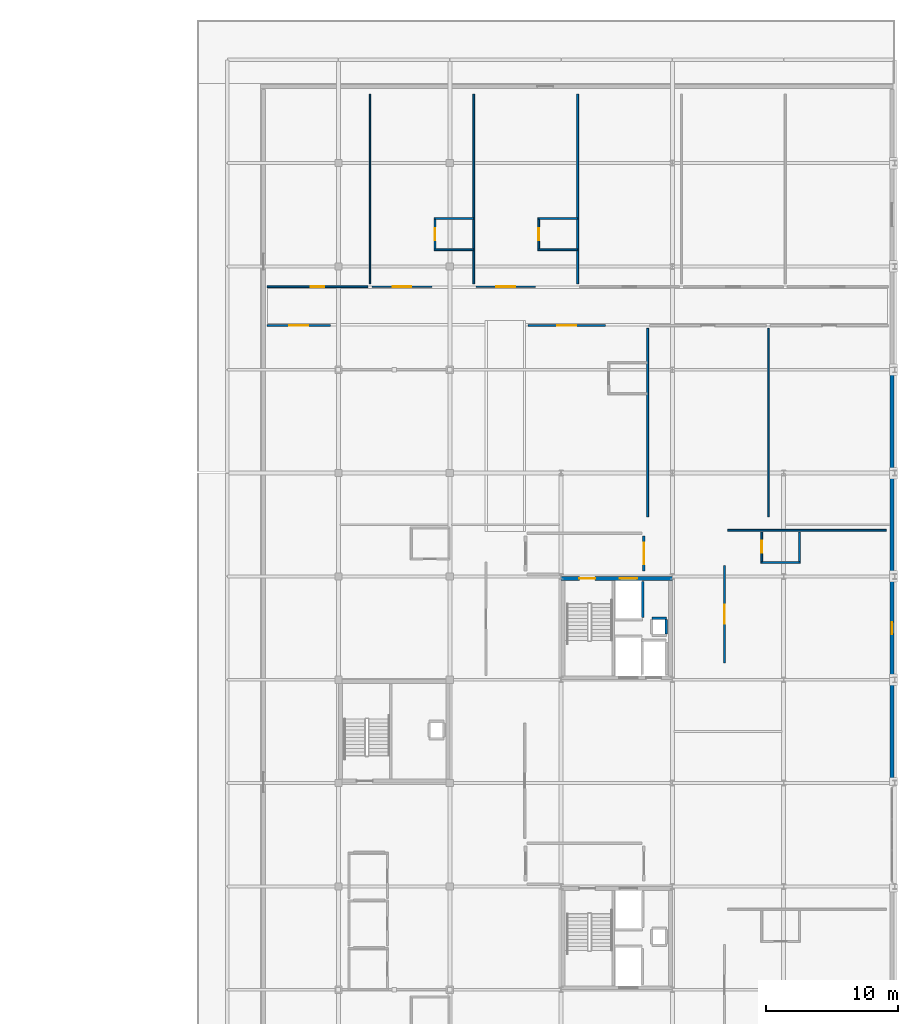
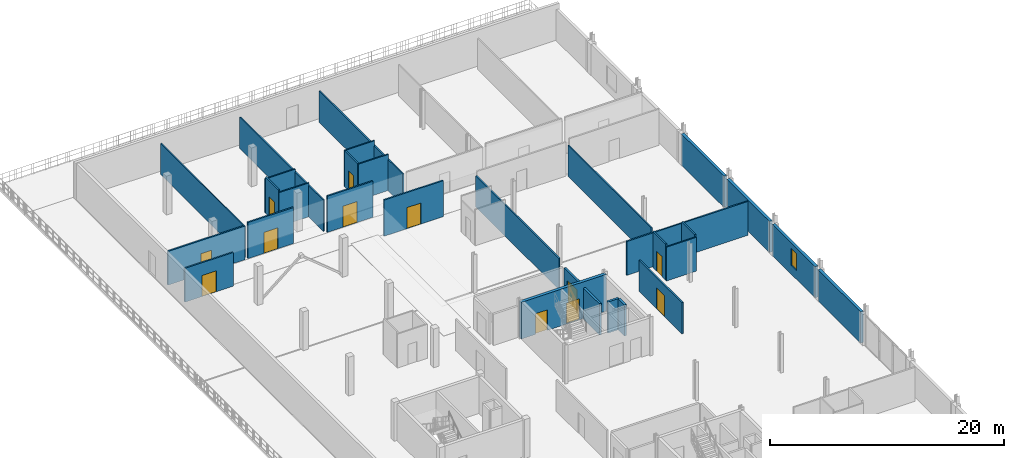
# One storey, part 12 of 20: 30 walls, 12 doors, 1 window, 13 openings.
"""IFC4 building model written with IfcOpenShell, lengths in metres."""

import ifcopenshell
import ifcopenshell.guid

model = None  # the IFC model being written
_history = None  # IfcOwnerHistory: only IFC2X3 demands one
_inside = {}  # id of a spatial element -> (the spatial element, [elements in it])
_under = {}  # id of a project, library or spatial element -> (it, [spatial elements below it])
_declared = {}  # id of a project -> (the project, [libraries it declares])
_typed = {}  # id of a type object -> (the type object, [elements of that type])
_made_of = {}  # id of a material, layer set ... -> (it, [elements and type objects made of it])


def new_model(schema):
    """Start an empty IFC model of exactly this schema.

    Asked for "IFC4X3", IfcOpenShell would pick the latest addendum, in which some entities
    have other attributes; the version numbers below select the first issue.
    IFC2X3 requires an IfcOwnerHistory on every rooted entity: one is made here for all.
    """
    global model, _history
    if schema == "IFC4X3":
        model = ifcopenshell.file(schema_version=(4, 3, 0, 0))
    else:
        model = ifcopenshell.file(schema=schema)
    _inside.clear()
    _under.clear()
    _declared.clear()
    _typed.clear()
    _made_of.clear()
    _history = None
    if model.schema == "IFC2X3":
        org = make("IfcOrganization", Name="unknown")
        user = make(
            "IfcPersonAndOrganization",
            ThePerson=make("IfcPerson", FamilyName="unknown"),
            TheOrganization=org,
        )
        app = make(
            "IfcApplication",
            ApplicationDeveloper=org,
            Version="unknown",
            ApplicationFullName="unknown",
            ApplicationIdentifier="unknown",
        )
        _history = make(
            "IfcOwnerHistory",
            OwningUser=user,
            OwningApplication=app,
            ChangeAction="ADDED",
            CreationDate=0,
        )
    return model


def make(cls, **values):
    """One entity of the class cls with the attributes given. An attribute that is None is left unset."""
    return model.create_entity(
        cls, **{name: value for name, value in values.items() if value is not None}
    )


def rooted(cls, **values):
    """An entity with a GlobalId (a new one), such as an element, a storey or a relation."""
    return make(cls, GlobalId=ifcopenshell.guid.new(), OwnerHistory=_history, **values)


def si_unit(unit_type, name, prefix=None):
    """IfcSIUnit, for example si_unit("LENGTHUNIT", "METRE", prefix="MILLI")."""
    return make("IfcSIUnit", UnitType=unit_type, Prefix=prefix, Name=name)


def assignment(units):
    """IfcUnitAssignment: the units of a project."""
    return None if units is None else make("IfcUnitAssignment", Units=units)


def point(xyz):
    """IfcCartesianPoint."""
    return None if xyz is None else make("IfcCartesianPoint", Coordinates=xyz)


def direction(xyz):
    """IfcDirection."""
    return None if xyz is None else make("IfcDirection", DirectionRatios=xyz)


def frame(location, z_axis=None, x_axis=None):
    """IfcAxis2Placement3D, a coordinate frame: its origin and axes. An axis left out is left unset."""
    return make(
        "IfcAxis2Placement3D",
        Location=point(location),
        Axis=direction(z_axis),
        RefDirection=direction(x_axis),
    )


def frame_2d(location, x_axis=None):
    """IfcAxis2Placement2D, a coordinate frame in the plane: its origin and x axis."""
    return make(
        "IfcAxis2Placement2D", Location=point(location), RefDirection=direction(x_axis)
    )


def origin():
    """The frame at (0, 0, 0) with its axes left unset."""
    return frame((0.0, 0.0, 0.0))


def place(relative_to, where):
    """IfcLocalPlacement: puts the frame where relative to a parent placement (None: the world)."""
    return make(
        "IfcLocalPlacement", PlacementRelTo=relative_to, RelativePlacement=where
    )


def context(
    kind, dimensions, precision=None, world=None, true_north=None, identifier=None
):
    """IfcGeometricRepresentationContext, for example the 3D "Model" context."""
    return make(
        "IfcGeometricRepresentationContext",
        ContextIdentifier=identifier,
        ContextType=kind,
        CoordinateSpaceDimension=dimensions,
        Precision=precision,
        WorldCoordinateSystem=world,
        TrueNorth=true_north,
    )


def subcontext(parent, identifier, kind, view, scale=None):
    """IfcGeometricRepresentationSubContext, for example "Body" below "Model"."""
    return make(
        "IfcGeometricRepresentationSubContext",
        ContextIdentifier=identifier,
        ContextType=kind,
        ParentContext=parent,
        TargetScale=scale,
        TargetView=view,
    )


def project(units=None, contexts=None):
    """IfcProject with its units and contexts."""
    return rooted(
        "IfcProject",
        Name="project",
        RepresentationContexts=contexts,
        UnitsInContext=assignment(units),
    )


def spatial(cls, under=None, at=None, **own):
    """A site, building, storey or space (cls), placed at a placement, below another one or the project."""
    s = rooted(cls, ObjectPlacement=at, **own)
    if under is not None:
        _under.setdefault(under.id(), (under, []))[1].append(s)
    return s


def profile(cls, at=None, kind="AREA", **sizes):
    """A parametric profile (cls). Its sizes go by their IFC names, for example OverallWidth=200.0."""
    return make(cls, ProfileType=kind, Position=at, **sizes)


def rectangle(**sizes):
    """IfcRectangleProfileDef."""
    return profile("IfcRectangleProfileDef", **sizes)


def extrude(swept, where, along, depth):
    """IfcExtrudedAreaSolid: the profile swept, set in the frame where, extruded along a direction by depth."""
    return make(
        "IfcExtrudedAreaSolid",
        SweptArea=swept,
        Position=where,
        ExtrudedDirection=direction(along),
        Depth=depth,
    )


def shape(context_of_items, identifier, shape_type, items):
    """IfcShapeRepresentation: the items that make up one representation, for example the "Body"."""
    return make(
        "IfcShapeRepresentation",
        ContextOfItems=context_of_items,
        RepresentationIdentifier=identifier,
        RepresentationType=shape_type,
        Items=items,
    )


def material(Name=None, Category=None):
    """IfcMaterial."""
    return make("IfcMaterial", Name=Name, Category=Category)


def layer(
    of_material, thickness, ventilated=None, Name=None, Category=None, Priority=None
):
    """IfcMaterialLayer: one layer of a wall or slab, of a material (None: an air gap)."""
    return make(
        "IfcMaterialLayer",
        Material=of_material,
        LayerThickness=thickness,
        IsVentilated=ventilated,
        Name=Name,
        Category=Category,
        Priority=Priority,
    )


def layer_set(layers, Name=None):
    """IfcMaterialLayerSet."""
    return make("IfcMaterialLayerSet", MaterialLayers=layers, LayerSetName=Name)


def made_of(thing, what):
    """Note that an element or type object is made of a material, layer set ...; save() writes the relation."""
    if what is not None:
        _made_of.setdefault(what.id(), (what, []))[1].append(thing)
    return thing


def type_object(cls, material=None, **own):
    """A type object (cls), such as IfcWallType, which elements share."""
    return made_of(rooted(cls, **own), material)


def element(
    cls,
    number,
    at=None,
    inside=None,
    cuts=None,
    type_object=None,
    material=None,
    context=None,
    identifier="Body",
    shape_type=None,
    held_by="IfcProductDefinitionShape",
    body=None,
    shapes=None,
    **own,
):
    """One element of the class cls, such as IfcWall. Its Tag is "e" and its number.

    at: its placement. inside: the storey or other place that contains it. cuts: it is an
    opening in that element (IfcRelVoidsElement). A single representation is given by context,
    identifier, shape_type and body (its items); several are given by shapes. held_by: the class
    of the entity that holds the representations. save() writes the other relations.
    """
    e = rooted(cls, Tag="e%d" % number, ObjectPlacement=at, **own)
    if body is not None:
        shapes = [shape(context, identifier, shape_type, body)]
    if shapes is not None:
        e.Representation = make(held_by, Representations=shapes)
    if inside is not None:
        _inside.setdefault(inside.id(), (inside, []))[1].append(e)
    if cuts is not None:
        rooted(
            "IfcRelVoidsElement", RelatingBuildingElement=cuts, RelatedOpeningElement=e
        )
    if type_object is not None:
        _typed.setdefault(type_object.id(), (type_object, []))[1].append(e)
    return made_of(e, material)


def fill(opening, filler):
    """IfcRelFillsElement: the door or window that sits in an opening."""
    return rooted(
        "IfcRelFillsElement",
        RelatingOpeningElement=opening,
        RelatedBuildingElement=filler,
    )


def aggregate(whole, parts):
    """IfcRelAggregates: a whole, such as a stair, and the parts it consists of."""
    return rooted("IfcRelAggregates", RelatingObject=whole, RelatedObjects=parts)


def save(model, path):
    """Write the relations noted so far, then the file.

    IfcRelAggregates (storeys below a building ...), IfcRelContainedInSpatialStructure (elements
    in a storey), IfcRelDefinesByType, IfcRelAssociatesMaterial and IfcRelDeclares: one each for
    every whole, place, type object, material and project.
    """
    for whole, parts in _under.values():
        aggregate(whole, parts)
    for where, things in _inside.values():
        rooted(
            "IfcRelContainedInSpatialStructure",
            RelatedElements=things,
            RelatingStructure=where,
        )
    for kind, things in _typed.values():
        rooted("IfcRelDefinesByType", RelatedObjects=things, RelatingType=kind)
    for what, things in _made_of.values():
        rooted("IfcRelAssociatesMaterial", RelatedObjects=things, RelatingMaterial=what)
    for by, libraries in _declared.values():
        rooted("IfcRelDeclares", RelatingContext=by, RelatedDefinitions=libraries)
    model.write(path)


model = new_model("IFC4")

# Units and contexts
model_context = context("Model", 3, precision=1e-05, world=origin(), true_north=direction((0.0, 1.0)))
body_context = subcontext(model_context, "Body", "Model", "MODEL_VIEW")
ifc_project = project(units=[si_unit("LENGTHUNIT", "METRE"), si_unit("AREAUNIT", "SQUARE_METRE"), si_unit("VOLUMEUNIT", "CUBIC_METRE"), si_unit("PLANEANGLEUNIT", "RADIAN"), si_unit("MASSUNIT", "GRAM", prefix="KILO")], contexts=[model_context])

# Site, building, storey
site_placement = place(None, origin())
site = spatial("IfcSite", under=ifc_project, at=site_placement, CompositionType="ELEMENT")
building_placement = place(site_placement, origin())
building = spatial("IfcBuilding", under=site, at=building_placement, Name="Nabrawat Pavilion Hospital", CompositionType="ELEMENT")
storey_placement = place(building_placement, frame((0.0, 0.0, 27.0)))
storey = spatial("IfcBuildingStorey", under=building, at=storey_placement, Name="L06", CompositionType="ELEMENT", Elevation=27.0)

# Wall
ifc_material_1 = material(Name="Gypsum Plasterboard on Stud", Category="gypsum")
ifc_layer_1 = layer(ifc_material_1, 0.10009765625, Name="Gypsum Plasterboard on Stud")
ifc_layer_set_1 = layer_set([ifc_layer_1], Name="Gypsum Plasterboard on Stud")
wall_type_1 = type_object("IfcWallType", Name="Clean Utility Sub-Partition 100", PredefinedType="PARTITIONING", material=ifc_layer_set_1)
wall_1_placement = place(storey_placement, frame((153.57666015625, 100.0849609375, 0.0), z_axis=(0.0, 0.0, 1.0), x_axis=(0.0, 1.0, 0.0)))
element("IfcWall", 1, at=wall_1_placement, inside=storey, type_object=wall_type_1, Name="L06 Neurology Telemetry Equipment Room L06-05 Dividing Partition", PredefinedType="PARTITIONING", context=body_context, shape_type="SweptSolid", body=[
    extrude(rectangle(XDim=14.324951171875, YDim=0.10009765625, at=frame_2d((7.16259765625, 0.0))), origin(), (0.0, 0.0, 1.0), 3.260009765625),
])

# Wall, opening, door
ifc_material_2 = material(Name="Gypsum Fireboard on Steel Stud", Category="steel")
ifc_layer_2 = layer(ifc_material_2, 0.14990234375, Name="Gypsum Fireboard on Steel Stud")
ifc_layer_set_2 = layer_set([ifc_layer_2], Name="Gypsum Fireboard on Steel Stud")
wall_type_2 = type_object("IfcWallType", Name="Clinical Corridor Smoke-Barrier Wall 150", PredefinedType="PARTITIONING", material=ifc_layer_set_2)
wall_2_placement = place(storey_placement, frame((145.820068359375, 96.93505859375, 0.0), z_axis=(0.0, 0.0, 1.0), x_axis=(1.0, 0.0, 0.0)))
wall_2 = element("IfcWall", 2, at=wall_2_placement, inside=storey, type_object=wall_type_2, Name="L06 Inpatient Ward Acute Stroke Monitoring Bedroom L06-01 Front Partition", PredefinedType="PARTITIONING", context=body_context, shape_type="SweptSolid", body=[
    extrude(rectangle(XDim=4.760009765625, YDim=0.14990234375, at=frame_2d((2.3798828125, 0.0))), origin(), (0.0, 0.0, 1.0), 3.530029296875),
])
opening_1_placement = place(wall_2_placement, frame((1.679931640625, 0.0, 0.0)))
opening_1 = element("IfcOpeningElement", 3, at=opening_1_placement, cuts=wall_2, Name="Opening D-BED", PredefinedType="OPENING", context=body_context, shape_type="SweptSolid", body=[
    extrude(rectangle(XDim=1.39990234375, YDim=2.199951171875, at=frame_2d((0.699951171875, 1.10009765625))), frame((0.0, 0.0849609375, 0.0), z_axis=(0.0, -1.0, 0.0), x_axis=(1.0, 0.0, 0.0)), (0.0, 0.0, 1.0), 0.169921875),
])
ifc_material_3 = material(Name="Stainless-Clad Acoustic Timber and Vision Glass", Category="wood")
door_type_1 = type_object("IfcDoorType", Name="D-BED Inpatient Ward Leaf-and-a-Half Door 1400x2200", OperationType="NOTDEFINED", PredefinedType="DOOR", material=ifc_material_3)
door_1_placement = place(opening_1_placement, origin())
door_1 = element("IfcDoor", 4, at=door_1_placement, inside=storey, type_object=door_type_1, Name="Inpatient Ward Acute Stroke Monitoring Bedroom L06-01 Door", OperationType="SINGLE_SWING_RIGHT", OverallHeight=2.199951171875, OverallWidth=1.39990234375, PredefinedType="DOOR", context=body_context, shape_type="SweptSolid", body=[
    extrude(rectangle(XDim=1.39990234375, YDim=2.199951171875, at=frame_2d((0.699951171875, 1.10009765625))), frame((0.0, 0.02490234375, 0.0), z_axis=(0.0, -1.0, 0.0), x_axis=(1.0, 0.0, 0.0)), (0.0, 0.0, 1.0), 0.050048828125),
])
fill(opening_1, door_1)

wall_3_placement = place(storey_placement, frame((165.5, 96.93505859375, 0.0), z_axis=(0.0, 0.0, 1.0), x_axis=(1.0, 0.0, 0.0)))
wall_3 = element("IfcWall", 5, at=wall_3_placement, inside=storey, type_object=wall_type_2, Name="L06 Inpatient Ward Neurology Single Bedroom L06-02 Front Partition", PredefinedType="PARTITIONING", context=body_context, shape_type="SweptSolid", body=[
    extrude(rectangle(XDim=5.86328125, YDim=0.14990234375, at=frame_2d((2.931640625, 0.0))), origin(), (0.0, 0.0, 1.0), 3.77001953125),
])
opening_2_placement = place(wall_3_placement, frame((2.231689453125, 0.0, 0.0)))
opening_2 = element("IfcOpeningElement", 6, at=opening_2_placement, cuts=wall_3, Name="Opening D-BED", PredefinedType="OPENING", context=body_context, shape_type="SweptSolid", body=[
    extrude(rectangle(XDim=1.39990234375, YDim=2.199951171875, at=frame_2d((0.699951171875, 1.10009765625))), frame((0.0, 0.0849609375, 0.0), z_axis=(0.0, -1.0, 0.0), x_axis=(1.0, 0.0, 0.0)), (0.0, 0.0, 1.0), 0.169921875),
])
door_2_placement = place(opening_2_placement, origin())
door_2 = element("IfcDoor", 7, at=door_2_placement, inside=storey, type_object=door_type_1, Name="Inpatient Ward Neurology Single Bedroom L06-02 Door", OperationType="SINGLE_SWING_LEFT", OverallHeight=2.199951171875, OverallWidth=1.39990234375, PredefinedType="DOOR", context=body_context, shape_type="SweptSolid", body=[
    extrude(rectangle(XDim=1.39990234375, YDim=2.199951171875, at=frame_2d((0.699951171875, 1.10009765625))), frame((0.0, 0.02490234375, 0.0), z_axis=(0.0, -1.0, 0.0), x_axis=(1.0, 0.0, 0.0)), (0.0, 0.0, 1.0), 0.050048828125),
])
fill(opening_2, door_2)

wall_4_placement = place(storey_placement, frame((145.820068359375, 99.864990234375, 0.0), z_axis=(0.0, 0.0, 1.0), x_axis=(1.0, 0.0, 0.0)))
wall_4 = element("IfcWall", 8, at=wall_4_placement, inside=storey, type_object=wall_type_2, Name="L06 Neurology Telemetry Equipment Room L06-05 Front Partition", PredefinedType="PARTITIONING", context=body_context, shape_type="SweptSolid", body=[
    extrude(rectangle(XDim=7.5966796875, YDim=0.14990234375, at=frame_2d((3.79833984375, 0.0))), origin(), (0.0, 0.0, 1.0), 3.530029296875),
])
opening_3_placement = place(wall_4_placement, frame((3.273193359375, 0.0, 0.0)))
opening_3 = element("IfcOpeningElement", 9, at=opening_3_placement, cuts=wall_4, Name="Opening D-OPC-R", PredefinedType="OPENING", context=body_context, shape_type="SweptSolid", body=[
    extrude(rectangle(XDim=1.050048828125, YDim=2.14990234375, at=frame_2d((0.52490234375, 1.074951171875))), frame((0.0, 0.0849609375, 0.0), z_axis=(0.0, -1.0, 0.0), x_axis=(1.0, 0.0, 0.0)), (0.0, 0.0, 1.0), 0.169921875),
])
door_type_2 = type_object("IfcDoorType", Name="Outpatient Clinic Consultation Door R 1050x2150", OperationType="NOTDEFINED", PredefinedType="DOOR", material=ifc_material_3)
door_3_placement = place(opening_3_placement, origin())
door_3 = element("IfcDoor", 10, at=door_3_placement, inside=storey, type_object=door_type_2, Name="Neurology Telemetry Equipment Room L06-05 Door", OperationType="SINGLE_SWING_LEFT", OverallHeight=2.14990234375, OverallWidth=1.050048828125, PredefinedType="DOOR", context=body_context, shape_type="SweptSolid", body=[
    extrude(rectangle(XDim=1.050048828125, YDim=2.14990234375, at=frame_2d((0.52490234375, 1.074951171875))), frame((0.0, 0.02490234375, 0.0), z_axis=(0.0, -1.0, 0.0), x_axis=(1.0, 0.0, 0.0)), (0.0, 0.0, 1.0), 0.050048828125),
])
fill(opening_3, door_3)

wall_5_placement = place(storey_placement, frame((153.73681640625, 99.864990234375, 0.0), z_axis=(0.0, 0.0, 1.0), x_axis=(1.0, 0.0, 0.0)))
wall_5 = element("IfcWall", 11, at=wall_5_placement, inside=storey, type_object=wall_type_2, Name="L06 Inpatient Ward Acute Stroke Monitoring Bedroom L06-06 Front Partition", PredefinedType="PARTITIONING", context=body_context, shape_type="SweptSolid", body=[
    extrude(rectangle(XDim=4.506591796875, YDim=0.14990234375, at=frame_2d((2.25341796875, 0.0))), origin(), (0.0, 0.0, 1.0), 3.77001953125),
])
opening_4_placement = place(wall_5_placement, frame((1.55322265625, 0.0, 0.0)))
opening_4 = element("IfcOpeningElement", 12, at=opening_4_placement, cuts=wall_5, Name="Opening D-BED", PredefinedType="OPENING", context=body_context, shape_type="SweptSolid", body=[
    extrude(rectangle(XDim=1.39990234375, YDim=2.199951171875, at=frame_2d((0.699951171875, 1.10009765625))), frame((0.0, 0.0849609375, 0.0), z_axis=(0.0, -1.0, 0.0), x_axis=(1.0, 0.0, 0.0)), (0.0, 0.0, 1.0), 0.169921875),
])
door_4_placement = place(opening_4_placement, origin())
door_4 = element("IfcDoor", 13, at=door_4_placement, inside=storey, type_object=door_type_1, Name="Inpatient Ward Acute Stroke Monitoring Bedroom L06-06 Door", OperationType="SINGLE_SWING_RIGHT", OverallHeight=2.199951171875, OverallWidth=1.39990234375, PredefinedType="DOOR", context=body_context, shape_type="SweptSolid", body=[
    extrude(rectangle(XDim=1.39990234375, YDim=2.199951171875, at=frame_2d((0.699951171875, 1.10009765625))), frame((0.0, 0.02490234375, 0.0), z_axis=(0.0, -1.0, 0.0), x_axis=(1.0, 0.0, 0.0)), (0.0, 0.0, 1.0), 0.050048828125),
])
fill(opening_4, door_4)

wall_6_placement = place(storey_placement, frame((161.5732421875, 99.864990234375, 0.0), z_axis=(0.0, 0.0, 1.0), x_axis=(1.0, 0.0, 0.0)))
wall_6 = element("IfcWall", 14, at=wall_6_placement, inside=storey, type_object=wall_type_2, Name="L06 Inpatient Ward Neurology Single Bedroom L06-07 Front Partition", PredefinedType="PARTITIONING", context=body_context, shape_type="SweptSolid", body=[
    extrude(rectangle(XDim=4.5068359375, YDim=0.14990234375, at=frame_2d((2.25341796875, 0.0))), origin(), (0.0, 0.0, 1.0), 3.77001953125),
])
opening_5_placement = place(wall_6_placement, frame((1.55322265625, 0.0, 0.0)))
opening_5 = element("IfcOpeningElement", 15, at=opening_5_placement, cuts=wall_6, Name="Opening D-BED", PredefinedType="OPENING", context=body_context, shape_type="SweptSolid", body=[
    extrude(rectangle(XDim=1.39990234375, YDim=2.199951171875, at=frame_2d((0.699951171875, 1.10009765625))), frame((0.0, 0.0849609375, 0.0), z_axis=(0.0, -1.0, 0.0), x_axis=(1.0, 0.0, 0.0)), (0.0, 0.0, 1.0), 0.169921875),
])
door_5_placement = place(opening_5_placement, origin())
door_5 = element("IfcDoor", 16, at=door_5_placement, inside=storey, type_object=door_type_1, Name="Inpatient Ward Neurology Single Bedroom L06-07 Door", OperationType="SINGLE_SWING_RIGHT", OverallHeight=2.199951171875, OverallWidth=1.39990234375, PredefinedType="DOOR", context=body_context, shape_type="SweptSolid", body=[
    extrude(rectangle(XDim=1.39990234375, YDim=2.199951171875, at=frame_2d((0.699951171875, 1.10009765625))), frame((0.0, 0.02490234375, 0.0), z_axis=(0.0, -1.0, 0.0), x_axis=(1.0, 0.0, 0.0)), (0.0, 0.0, 1.0), 0.050048828125),
])
fill(opening_5, door_5)

wall_7_placement = place(storey_placement, frame((180.35009765625, 71.47998046875, 0.0), z_axis=(0.0, 0.0, 1.0), x_axis=(0.0, 1.0, 0.0)))
wall_7 = element("IfcWall", 17, at=wall_7_placement, inside=storey, type_object=wall_type_2, Name="L06 Inpatient Ward Stroke Recovery Suite L06-E4 Front Partition", PredefinedType="PARTITIONING", context=body_context, shape_type="SweptSolid", body=[
    extrude(rectangle(XDim=7.330078125, YDim=0.14990234375, at=frame_2d((3.6650390625, 0.0))), origin(), (0.0, 0.0, 1.0), 3.260009765625),
])
opening_6_placement = place(wall_7_placement, frame((2.965087890625, 0.0, 0.0)))
opening_6 = element("IfcOpeningElement", 18, at=opening_6_placement, cuts=wall_7, Name="Opening D-BED", PredefinedType="OPENING", context=body_context, shape_type="SweptSolid", body=[
    extrude(rectangle(XDim=1.39990234375, YDim=2.199951171875, at=frame_2d((0.699951171875, 1.10009765625))), frame((0.0, 0.0849609375, 0.0), z_axis=(0.0, -1.0, 0.0), x_axis=(1.0, 0.0, 0.0)), (0.0, 0.0, 1.0), 0.169921875),
])
door_6_placement = place(opening_6_placement, origin())
door_6 = element("IfcDoor", 19, at=door_6_placement, inside=storey, type_object=door_type_1, Name="Inpatient Ward Stroke Recovery Suite L06-E4 Door", OperationType="SINGLE_SWING_RIGHT", OverallHeight=2.199951171875, OverallWidth=1.39990234375, PredefinedType="DOOR", context=body_context, shape_type="SweptSolid", body=[
    extrude(rectangle(XDim=1.39990234375, YDim=2.199951171875, at=frame_2d((0.699951171875, 1.10009765625))), frame((0.0, 0.02490234375, 0.0), z_axis=(0.0, -1.0, 0.0), x_axis=(1.0, 0.0, 0.0)), (0.0, 0.0, 1.0), 0.050048828125),
])
fill(opening_6, door_6)

ifc_material_4 = material(Name="Cement Board on Steel Stud", Category="steel")
ifc_layer_3 = layer(ifc_material_4, 0.1298828125, Name="Cement Board on Steel Stud")
ifc_layer_set_3 = layer_set([ifc_layer_3], Name="Cement Board on Steel Stud")
wall_type_3 = type_object("IfcWallType", Name="En-Suite Moisture-Resistant Partition 130", PredefinedType="PARTITIONING", material=ifc_layer_set_3)
wall_8_placement = place(storey_placement, frame((158.4833984375, 102.72998046875, 0.0), z_axis=(0.0, 0.0, 1.0), x_axis=(0.0, 1.0, 0.0)))
wall_8 = element("IfcWall", 20, at=wall_8_placement, inside=storey, type_object=wall_type_3, Name="L06 En-Suite Bathroom WRD-STR-06 Front Partition", PredefinedType="PARTITIONING", context=body_context, shape_type="SweptSolid", body=[
    extrude(rectangle(XDim=2.219970703125, YDim=0.1298828125, at=frame_2d((1.10986328125, 0.0))), origin(), (0.0, 0.0, 1.0), 3.77001953125),
])
opening_7_placement = place(wall_8_placement, frame((0.659912109375, 0.0, 0.0)))
opening_7 = element("IfcOpeningElement", 21, at=opening_7_placement, cuts=wall_8, Name="Opening D-ENS-R", PredefinedType="OPENING", context=body_context, shape_type="SweptSolid", body=[
    extrude(rectangle(XDim=0.89990234375, YDim=2.10009765625, at=frame_2d((0.449951171875, 1.050048828125))), frame((0.0, 0.074951171875, 0.0), z_axis=(0.0, -1.0, 0.0), x_axis=(1.0, 0.0, 0.0)), (0.0, 0.0, 1.0), 0.14990234375),
])
door_type_3 = type_object("IfcDoorType", Name="En-Suite Bathroom Outward Door R 900x2100", OperationType="NOTDEFINED", PredefinedType="DOOR", material=ifc_material_3)
door_7_placement = place(opening_7_placement, origin())
door_7 = element("IfcDoor", 22, at=door_7_placement, inside=storey, type_object=door_type_3, Name="En-Suite Bathroom WRD-STR-06 Door", OperationType="SINGLE_SWING_LEFT", OverallHeight=2.10009765625, OverallWidth=0.89990234375, PredefinedType="DOOR", context=body_context, shape_type="SweptSolid", body=[
    extrude(rectangle(XDim=0.89990234375, YDim=2.10009765625, at=frame_2d((0.449951171875, 1.050048828125))), frame((0.0, 0.02490234375, 0.0), z_axis=(0.0, -1.0, 0.0), x_axis=(1.0, 0.0, 0.0)), (0.0, 0.0, 1.0), 0.050048828125),
])
fill(opening_7, door_7)

# Walls
for number, where, z_axis, x_axis, name in (
    (23, (158.418212890625, 102.6650390625, 0.0), (0.0, 0.0, 1.0), (1.0, 0.0, 0.0), "L06 En-Suite Bathroom WRD-STR-06 South Partition"),
    (24, (158.418212890625, 105.014892578125, 0.0), (0.0, 0.0, 1.0), (1.0, 0.0, 0.0), "L06 En-Suite Bathroom WRD-STR-06 North Partition"),
):
    element("IfcWall", number, at=place(storey_placement, frame(where, z_axis=z_axis, x_axis=x_axis)), inside=storey, type_object=wall_type_3, Name=name, PredefinedType="PARTITIONING", context=body_context, shape_type="SweptSolid", body=[
        extrude(rectangle(XDim=2.97998046875, YDim=0.1298828125, at=frame_2d((1.489990234375, 0.0))), origin(), (0.0, 0.0, 1.0), 3.5400390625),
    ])

# Wall, opening, door
wall_9_placement = place(storey_placement, frame((166.320068359375, 102.72998046875, 0.0), z_axis=(0.0, 0.0, 1.0), x_axis=(0.0, 1.0, 0.0)))
wall_9 = element("IfcWall", 25, at=wall_9_placement, inside=storey, type_object=wall_type_3, Name="L06 En-Suite Bathroom WRD-NEU-07 Front Partition", PredefinedType="PARTITIONING", context=body_context, shape_type="SweptSolid", body=[
    extrude(rectangle(XDim=2.219970703125, YDim=0.1298828125, at=frame_2d((1.10986328125, 0.0))), origin(), (0.0, 0.0, 1.0), 3.77001953125),
])
opening_8_placement = place(wall_9_placement, frame((0.659912109375, 0.0, 0.0)))
opening_8 = element("IfcOpeningElement", 26, at=opening_8_placement, cuts=wall_9, Name="Opening D-ENS-R", PredefinedType="OPENING", context=body_context, shape_type="SweptSolid", body=[
    extrude(rectangle(XDim=0.89990234375, YDim=2.10009765625, at=frame_2d((0.449951171875, 1.050048828125))), frame((0.0, 0.074951171875, 0.0), z_axis=(0.0, -1.0, 0.0), x_axis=(1.0, 0.0, 0.0)), (0.0, 0.0, 1.0), 0.14990234375),
])
door_8_placement = place(opening_8_placement, origin())
door_8 = element("IfcDoor", 27, at=door_8_placement, inside=storey, type_object=door_type_3, Name="En-Suite Bathroom WRD-NEU-07 Door", OperationType="SINGLE_SWING_LEFT", OverallHeight=2.10009765625, OverallWidth=0.89990234375, PredefinedType="DOOR", context=body_context, shape_type="SweptSolid", body=[
    extrude(rectangle(XDim=0.89990234375, YDim=2.10009765625, at=frame_2d((0.449951171875, 1.050048828125))), frame((0.0, 0.02490234375, 0.0), z_axis=(0.0, -1.0, 0.0), x_axis=(1.0, 0.0, 0.0)), (0.0, 0.0, 1.0), 0.050048828125),
])
fill(opening_8, door_8)

# Walls
for number, where, z_axis, x_axis, name in (
    (28, (166.2548828125, 102.6650390625, 0.0), (0.0, 0.0, 1.0), (1.0, 0.0, 0.0), "L06 En-Suite Bathroom WRD-NEU-07 South Partition"),
    (29, (166.2548828125, 105.014892578125, 0.0), (0.0, 0.0, 1.0), (1.0, 0.0, 0.0), "L06 En-Suite Bathroom WRD-NEU-07 North Partition"),
):
    element("IfcWall", number, at=place(storey_placement, frame(where, z_axis=z_axis, x_axis=x_axis)), inside=storey, type_object=wall_type_3, Name=name, PredefinedType="PARTITIONING", context=body_context, shape_type="SweptSolid", body=[
        extrude(rectangle(XDim=2.980224609375, YDim=0.1298828125, at=frame_2d((1.490234375, 0.0))), origin(), (0.0, 0.0, 1.0), 3.77001953125),
    ])
wall_10_placement = place(storey_placement, frame((183.0849609375, 79.050048828125, 0.0), z_axis=(0.0, 0.0, 1.0), x_axis=(1.0, 0.0, 0.0)))
element("IfcWall", 30, at=wall_10_placement, inside=storey, type_object=wall_type_3, Name="L06 En-Suite Bathroom WRD-NEU-E4 Front Partition", PredefinedType="PARTITIONING", context=body_context, shape_type="SweptSolid", body=[
    extrude(rectangle(XDim=2.97998046875, YDim=0.1298828125, at=frame_2d((1.489990234375, 0.0))), origin(), (0.0, 0.0, 1.0), 3.5400390625),
])

# Wall, opening, door
wall_11_placement = place(storey_placement, frame((183.14990234375, 79.114990234375, 0.0), z_axis=(0.0, 0.0, 1.0), x_axis=(0.0, 1.0, 0.0)))
wall_11 = element("IfcWall", 31, at=wall_11_placement, inside=storey, type_object=wall_type_3, Name="L06 En-Suite Bathroom WRD-NEU-E4 West Partition", PredefinedType="PARTITIONING", context=body_context, shape_type="SweptSolid", body=[
    extrude(rectangle(XDim=2.219970703125, YDim=0.1298828125, at=frame_2d((1.10986328125, 0.0))), origin(), (0.0, 0.0, 1.0), 3.77001953125),
])
opening_9_placement = place(wall_11_placement, frame((0.659912109375, 0.0, 0.0)))
opening_9 = element("IfcOpeningElement", 32, at=opening_9_placement, cuts=wall_11, Name="Opening D-ENS-L", PredefinedType="OPENING", context=body_context, shape_type="SweptSolid", body=[
    extrude(rectangle(XDim=0.89990234375, YDim=2.10009765625, at=frame_2d((0.449951171875, 1.050048828125))), frame((0.0, 0.074951171875, 0.0), z_axis=(0.0, -1.0, 0.0), x_axis=(1.0, 0.0, 0.0)), (0.0, 0.0, 1.0), 0.14990234375),
])
door_type_4 = type_object("IfcDoorType", Name="En-Suite Bathroom Outward Door L 900x2100", OperationType="NOTDEFINED", PredefinedType="DOOR", material=ifc_material_3)
door_9_placement = place(opening_9_placement, origin())
door_9 = element("IfcDoor", 33, at=door_9_placement, inside=storey, type_object=door_type_4, Name="En-Suite Bathroom WRD-NEU-E4 Door", OperationType="SINGLE_SWING_LEFT", OverallHeight=2.10009765625, OverallWidth=0.89990234375, PredefinedType="DOOR", context=body_context, shape_type="SweptSolid", body=[
    extrude(rectangle(XDim=0.89990234375, YDim=2.10009765625, at=frame_2d((0.449951171875, 1.050048828125))), frame((0.0, 0.02490234375, 0.0), z_axis=(0.0, -1.0, 0.0), x_axis=(1.0, 0.0, 0.0)), (0.0, 0.0, 1.0), 0.050048828125),
])
fill(opening_9, door_9)

# Wall
wall_12_placement = place(storey_placement, frame((186.0, 79.114990234375, 0.0), z_axis=(0.0, 0.0, 1.0), x_axis=(0.0, 1.0, 0.0)))
element("IfcWall", 34, at=wall_12_placement, inside=storey, type_object=wall_type_3, Name="L06 En-Suite Bathroom WRD-NEU-E4 East Partition", PredefinedType="PARTITIONING", context=body_context, shape_type="SweptSolid", body=[
    extrude(rectangle(XDim=2.219970703125, YDim=0.1298828125, at=frame_2d((1.10986328125, 0.0))), origin(), (0.0, 0.0, 1.0), 3.77001953125),
])

# Wall, opening, door
ifc_material_5 = material(Name="Concrete C35/45", Category="concrete")
ifc_layer_4 = layer(ifc_material_5, 0.199951171875, Name="Concrete C35/45")
ifc_layer_set_4 = layer_set([ifc_layer_4], Name="Concrete C35/45")
wall_type_4 = type_object("IfcWallType", Name="Firefighting Lobby Compartment Wall 200", PredefinedType="PARTITIONING", material=ifc_layer_set_4)
wall_13_placement = place(storey_placement, frame((174.25, 78.39990234375, 0.0), z_axis=(0.0, 0.0, 1.0), x_axis=(0.0, 1.0, 0.0)))
wall_13 = element("IfcWall", 35, at=wall_13_placement, inside=storey, type_object=wall_type_4, Name="L06 CORE-6 Firefighting Lobby East Compartment Wall", PredefinedType="PARTITIONING", context=body_context, shape_type="SweptSolid", body=[
    extrude(rectangle(XDim=2.650146484375, YDim=0.199951171875, at=frame_2d((1.3251953125, 0.0))), origin(), (0.0, 0.0, 1.0), 3.260009765625),
])
opening_10_placement = place(wall_13_placement, frame((0.52490234375, 0.0, 0.0)))
opening_10 = element("IfcOpeningElement", 36, at=opening_10_placement, cuts=wall_13, Name="Opening D-FFL", PredefinedType="OPENING", context=body_context, shape_type="SweptSolid", body=[
    extrude(rectangle(XDim=1.60009765625, YDim=2.199951171875, at=frame_2d((0.800048828125, 1.10009765625))), frame((0.0, 0.10986328125, 0.0), z_axis=(0.0, -1.0, 0.0), x_axis=(1.0, 0.0, 0.0)), (0.0, 0.0, 1.0), 0.219970703125),
])
door_type_5 = type_object("IfcDoorType", Name="D-FFL Firefighting Lobby Double Smoke Door 1600x2200", OperationType="NOTDEFINED", PredefinedType="DOOR", material=ifc_material_3)
door_10_placement = place(opening_10_placement, origin())
door_10 = element("IfcDoor", 37, at=door_10_placement, inside=storey, type_object=door_type_5, Name="L06 CORE-6 Firefighting Lobby East Smoke Door", OperationType="DOUBLE_DOOR_SINGLE_SWING", OverallHeight=2.199951171875, OverallWidth=1.60009765625, PredefinedType="DOOR", context=body_context, shape_type="SweptSolid", body=[
    extrude(rectangle(XDim=1.60009765625, YDim=2.199951171875, at=frame_2d((0.800048828125, 1.10009765625))), frame((0.0, 0.02490234375, 0.0), z_axis=(0.0, -1.0, 0.0), x_axis=(1.0, 0.0, 0.0)), (0.0, 0.0, 1.0), 0.050048828125),
])
fill(opening_10, door_10)

# Walls
ifc_material_6 = material(Name="Acoustic Gypsum on Steel Stud", Category="steel")
ifc_layer_5 = layer(ifc_material_6, 0.139892578125, Name="Acoustic Gypsum on Steel Stud")
ifc_layer_set_5 = layer_set([ifc_layer_5], Name="Acoustic Gypsum on Steel Stud")
wall_type_5 = type_object("IfcWallType", Name="Inpatient Ward Acoustic Partition 140", PredefinedType="PARTITIONING", material=ifc_layer_set_5)
wall_14_placement = place(storey_placement, frame((174.533203125, 82.489990234375, 0.0), z_axis=(0.0, 0.0, 1.0), x_axis=(0.0, 1.0, 0.0)))
element("IfcWall", 38, at=wall_14_placement, inside=storey, type_object=wall_type_5, Name="L06 Inpatient Ward Neurology Single Bedroom L06-02 Dividing Partition", PredefinedType="PARTITIONING", context=body_context, shape_type="SweptSolid", body=[
    extrude(rectangle(XDim=14.22509765625, YDim=0.139892578125, at=frame_2d((7.112548828125, 0.0))), origin(), (0.0, 0.0, 1.0), 3.260009765625),
])
for number, where, z_axis, x_axis, name in (
    (39, (161.413330078125, 100.0849609375, 0.0), (0.0, 0.0, 1.0), (0.0, 1.0, 0.0), "L06 Inpatient Ward Acute Stroke Monitoring Bedroom L06-06 Dividing Partition"),
    (40, (169.25, 100.0849609375, 0.0), (0.0, 0.0, 1.0), (0.0, 1.0, 0.0), "L06 Inpatient Ward Neurology Single Bedroom L06-07 Dividing Partition"),
):
    element("IfcWall", number, at=place(storey_placement, frame(where, z_axis=z_axis, x_axis=x_axis)), inside=storey, type_object=wall_type_5, Name=name, PredefinedType="PARTITIONING", context=body_context, shape_type="SweptSolid", body=[
        extrude(rectangle(XDim=14.324951171875, YDim=0.139892578125, at=frame_2d((7.16259765625, 0.0))), origin(), (0.0, 0.0, 1.0), 3.260009765625),
    ])
wall_15_placement = place(storey_placement, frame((180.570068359375, 81.47998046875, 0.0), z_axis=(0.0, 0.0, 1.0), x_axis=(1.0, 0.0, 0.0)))
element("IfcWall", 41, at=wall_15_placement, inside=storey, type_object=wall_type_5, Name="L06 Inpatient Ward Stroke Recovery Suite L06-E4 Dividing Partition", PredefinedType="PARTITIONING", context=body_context, shape_type="SweptSolid", body=[
    extrude(rectangle(XDim=11.97998046875, YDim=0.139892578125, at=frame_2d((5.989990234375, 0.0))), origin(), (0.0, 0.0, 1.0), 3.5400390625),
])
ifc_material_7 = material(Name="Precast concrete C40/50", Category="concrete")
ifc_layer_6 = layer(ifc_material_7, 0.280029296875, Name="Precast concrete C40/50")
ifc_layer_set_6 = layer_set([ifc_layer_6], Name="Precast concrete C40/50")
wall_type_6 = type_object("IfcWallType", Name="Insulated Precast Facade Wall 280", PredefinedType="SOLIDWALL", material=ifc_layer_set_6)
wall_16_placement = place(storey_placement, frame((192.97998046875, 62.64990234375, 0.0), z_axis=(0.0, 0.0, 1.0), x_axis=(0.0, 1.0, 0.0)))
element("IfcWall", 42, at=wall_16_placement, inside=storey, type_object=wall_type_6, Name="L06 Insulated Precast Facade Wall 280 409", PredefinedType="SOLIDWALL", context=body_context, shape_type="SweptSolid", body=[
    extrude(rectangle(XDim=7.300048828125, YDim=0.280029296875, at=frame_2d((3.64990234375, 0.0))), origin(), (0.0, 0.0, 1.0), 3.260009765625),
])

# Wall, opening, window
wall_17_placement = place(storey_placement, frame((192.97998046875, 70.449951171875, 0.0), z_axis=(0.0, 0.0, 1.0), x_axis=(0.0, 1.0, 0.0)))
wall_17 = element("IfcWall", 43, at=wall_17_placement, inside=storey, type_object=wall_type_6, Name="L06 Insulated Precast Facade Wall 280 410", PredefinedType="SOLIDWALL", context=body_context, shape_type="SweptSolid", body=[
    extrude(rectangle(XDim=7.300048828125, YDim=0.280029296875, at=frame_2d((3.64990234375, 0.0))), origin(), (0.0, 0.0, 1.0), 3.260009765625),
])
opening_11_placement = place(wall_17_placement, frame((3.199951171875, 0.0, 0.89990234375)))
opening_11 = element("IfcOpeningElement", 44, at=opening_11_placement, cuts=wall_17, Name="Opening WN-19", PredefinedType="OPENING", context=body_context, shape_type="SweptSolid", body=[
    extrude(rectangle(XDim=0.89990234375, YDim=1.800048828125, at=frame_2d((0.449951171875, 0.89990234375))), frame((0.0, 0.14990234375, 0.0), z_axis=(0.0, -1.0, 0.0), x_axis=(1.0, 0.0, 0.0)), (0.0, 0.0, 1.0), 0.300048828125),
])
ifc_material_8 = material(Name="Thermally Broken Aluminium and Solar Glass", Category="aluminium")
window_type = type_object("IfcWindowType", Name="Stair Core Natural Light Slot 900x1800", PartitioningType="SINGLE_PANEL", PredefinedType="WINDOW", material=ifc_material_8)
window_placement = place(opening_11_placement, origin())
window = element("IfcWindow", 45, at=window_placement, inside=storey, type_object=window_type, Name="L06 Stair Core Natural Light Slot 900x1800 147", OverallHeight=1.800048828125, OverallWidth=0.89990234375, PartitioningType="SINGLE_PANEL", PredefinedType="WINDOW", context=body_context, shape_type="SweptSolid", body=[
    extrude(rectangle(XDim=0.89990234375, YDim=1.800048828125, at=frame_2d((0.449951171875, 0.89990234375))), frame((0.0, 0.030029296875, 0.0), z_axis=(0.0, -1.0, 0.0), x_axis=(1.0, 0.0, 0.0)), (0.0, 0.0, 1.0), 0.06005859375),
])
fill(opening_11, window)

# Walls
for number, where, z_axis, x_axis, name in (
    (46, (192.97998046875, 78.25, 0.0), (0.0, 0.0, 1.0), (0.0, 1.0, 0.0), "L06 Insulated Precast Facade Wall 280 411"),
    (47, (192.97998046875, 86.050048828125, 0.0), (0.0, 0.0, 1.0), (0.0, 1.0, 0.0), "L06 Insulated Precast Facade Wall 280 412"),
):
    element("IfcWall", number, at=place(storey_placement, frame(where, z_axis=z_axis, x_axis=x_axis)), inside=storey, type_object=wall_type_6, Name=name, PredefinedType="SOLIDWALL", context=body_context, shape_type="SweptSolid", body=[
        extrude(rectangle(XDim=7.300048828125, YDim=0.280029296875, at=frame_2d((3.64990234375, 0.0))), origin(), (0.0, 0.0, 1.0), 3.260009765625),
    ])
ifc_layer_7 = layer(ifc_material_5, 0.199951171875, Name="Concrete C35/45")
ifc_layer_set_7 = layer_set([ifc_layer_7], Name="Concrete C35/45")
wall_type_7 = type_object("IfcWallType", Name="Lift and Riser Fire Shaft Wall 200", PredefinedType="PARTITIONING", material=ifc_layer_set_7)
wall_18_placement = place(storey_placement, frame((174.85009765625, 74.85009765625, 0.0), z_axis=(0.0, 0.0, 1.0), x_axis=(1.0, 0.0, 0.0)))
element("IfcWall", 48, at=wall_18_placement, inside=storey, type_object=wall_type_7, Name="L06 CORE-6 MEP Riser Shaft Wall N", PredefinedType="PARTITIONING", context=body_context, shape_type="SweptSolid", body=[
    extrude(rectangle(XDim=1.099853515625, YDim=0.199951171875, at=frame_2d((0.5498046875, 0.0))), origin(), (0.0, 0.0, 1.0), 3.260009765625),
])
wall_19_placement = place(storey_placement, frame((175.949951171875, 73.669921875, 0.0), z_axis=(0.0, 0.0, 1.0), x_axis=(0.0, 1.0, 0.0)))
element("IfcWall", 49, at=wall_19_placement, inside=storey, type_object=wall_type_7, Name="L06 CORE-6 MEP Riser Shaft Wall E", PredefinedType="PARTITIONING", context=body_context, shape_type="SweptSolid", body=[
    extrude(rectangle(XDim=1.06005859375, YDim=0.199951171875, at=frame_2d((0.530029296875, 0.0))), origin(), (0.0, 0.0, 1.0), 3.260009765625),
])
wall_20_placement = place(storey_placement, frame((174.179931640625, 74.8798828125, 0.0), z_axis=(0.0, 0.0, 1.0), x_axis=(0.0, 1.0, 0.0)))
element("IfcWall", 50, at=wall_20_placement, inside=storey, type_object=wall_type_7, Name="L06 Lift LF-02 Shaft East Wall", PredefinedType="PARTITIONING", context=body_context, shape_type="SweptSolid", body=[
    extrude(rectangle(XDim=2.740234375, YDim=0.199951171875, at=frame_2d((1.3701171875, 0.0))), origin(), (0.0, 0.0, 1.0), 3.260009765625),
])
ifc_layer_8 = layer(ifc_material_1, 0.1201171875, Name="Gypsum Plasterboard on Stud")
ifc_layer_set_8 = layer_set([ifc_layer_8], Name="Gypsum Plasterboard on Stud")
wall_type_8 = type_object("IfcWallType", Name="Outpatient Consultation Partition 120", PredefinedType="PARTITIONING", material=ifc_layer_set_8)
wall_21_placement = place(storey_placement, frame((183.646728515625, 82.489990234375, 0.0), z_axis=(0.0, 0.0, 1.0), x_axis=(0.0, 1.0, 0.0)))
element("IfcWall", 51, at=wall_21_placement, inside=storey, type_object=wall_type_8, Name="L06 Neuro-Rehabilitation Daily Living Therapy Room L06-03 Dividing Partition", PredefinedType="PARTITIONING", context=body_context, shape_type="SweptSolid", body=[
    extrude(rectangle(XDim=14.22509765625, YDim=0.1201171875, at=frame_2d((7.112548828125, 0.0))), origin(), (0.0, 0.0, 1.0), 3.260009765625),
])

# Wall, openings, doors
ifc_material_9 = material(Name="Concrete C40/50", Category="concrete")
ifc_layer_9 = layer(ifc_material_9, 0.300048828125, Name="Concrete C40/50")
ifc_layer_set_9 = layer_set([ifc_layer_9], Name="Concrete C40/50")
wall_type_9 = type_object("IfcWallType", Name="Reinforced Concrete Core Shear Wall 300", PredefinedType="SHEAR", material=ifc_layer_set_9)
wall_22_placement = place(storey_placement, frame((168.0, 77.85009765625, 0.0), z_axis=(0.0, 0.0, 1.0), x_axis=(1.0, 0.0, 0.0)))
wall_22 = element("IfcWall", 52, at=wall_22_placement, inside=storey, type_object=wall_type_9, Name="L06 CORE-6 North Core Shear Wall", PredefinedType="SHEAR", context=body_context, shape_type="SweptSolid", body=[
    extrude(rectangle(XDim=8.39990234375, YDim=0.300048828125, at=frame_2d((4.199951171875, 0.0))), origin(), (0.0, 0.0, 1.0), 3.830078125),
])
opening_12_placement = place(wall_22_placement, frame((1.3798828125, 0.0, 0.0)))
opening_12 = element("IfcOpeningElement", 53, at=opening_12_placement, cuts=wall_22, Name="Opening D-STAIR", PredefinedType="OPENING", context=body_context, shape_type="SweptSolid", body=[
    extrude(rectangle(XDim=1.199951171875, YDim=2.14990234375, at=frame_2d((0.60009765625, 1.074951171875))), frame((0.0, 0.16015625, 0.0), z_axis=(0.0, -1.0, 0.0), x_axis=(1.0, 0.0, 0.0)), (0.0, 0.0, 1.0), 0.320068359375),
])
opening_13_placement = place(wall_22_placement, frame((4.449951171875, 0.0, 0.0)))
opening_13 = element("IfcOpeningElement", 54, at=opening_13_placement, cuts=wall_22, Name="Opening LD-LF-02", PredefinedType="OPENING", context=body_context, shape_type="SweptSolid", body=[
    extrude(rectangle(XDim=1.300048828125, YDim=2.199951171875, at=frame_2d((0.64990234375, 1.10009765625))), frame((0.0, 0.16015625, 0.0), z_axis=(0.0, -1.0, 0.0), x_axis=(1.0, 0.0, 0.0)), (0.0, 0.0, 1.0), 0.320068359375),
])
door_type_6 = type_object("IfcDoorType", Name="D-STAIR Exit Stair Fire Door 1200x2150", OperationType="NOTDEFINED", PredefinedType="DOOR", material=ifc_material_3)
door_11_placement = place(opening_12_placement, origin())
door_11 = element("IfcDoor", 55, at=door_11_placement, inside=storey, type_object=door_type_6, Name="L06 ST-06 Fire Exit Stair Door", OperationType="SINGLE_SWING_RIGHT", OverallHeight=2.14990234375, OverallWidth=1.199951171875, PredefinedType="DOOR", context=body_context, shape_type="SweptSolid", body=[
    extrude(rectangle(XDim=1.199951171875, YDim=2.14990234375, at=frame_2d((0.60009765625, 1.074951171875))), frame((0.0, 0.02490234375, 0.0), z_axis=(0.0, -1.0, 0.0), x_axis=(1.0, 0.0, 0.0)), (0.0, 0.0, 1.0), 0.050048828125),
])
fill(opening_12, door_11)
door_type_7 = type_object("IfcDoorType", Name="Firefighting Lift Sliding Landing Door 1300x2200", OperationType="DOUBLE_DOOR_SLIDING", PredefinedType="DOOR", material=ifc_material_3)
door_12_placement = place(opening_13_placement, origin())
door_12 = element("IfcDoor", 56, at=door_12_placement, inside=storey, type_object=door_type_7, Name="L06 Lift LF-02 Sliding Landing Door", OperationType="DOUBLE_DOOR_SLIDING", OverallHeight=2.199951171875, OverallWidth=1.300048828125, PredefinedType="DOOR", context=body_context, shape_type="SweptSolid", body=[
    extrude(rectangle(XDim=1.300048828125, YDim=2.199951171875, at=frame_2d((0.64990234375, 1.10009765625))), frame((0.0, 0.02490234375, 0.0), z_axis=(0.0, -1.0, 0.0), x_axis=(1.0, 0.0, 0.0)), (0.0, 0.0, 1.0), 0.050048828125),
])
fill(opening_13, door_12)

save(model, "model.ifc")
